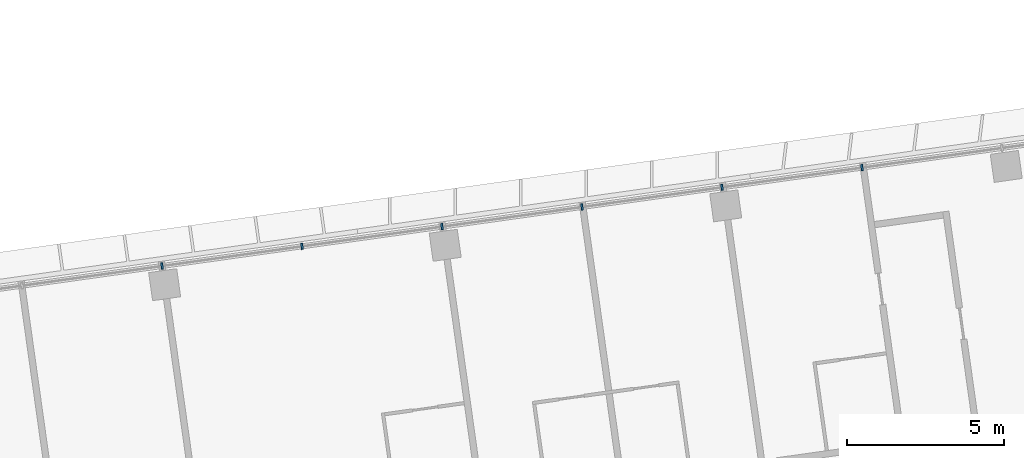
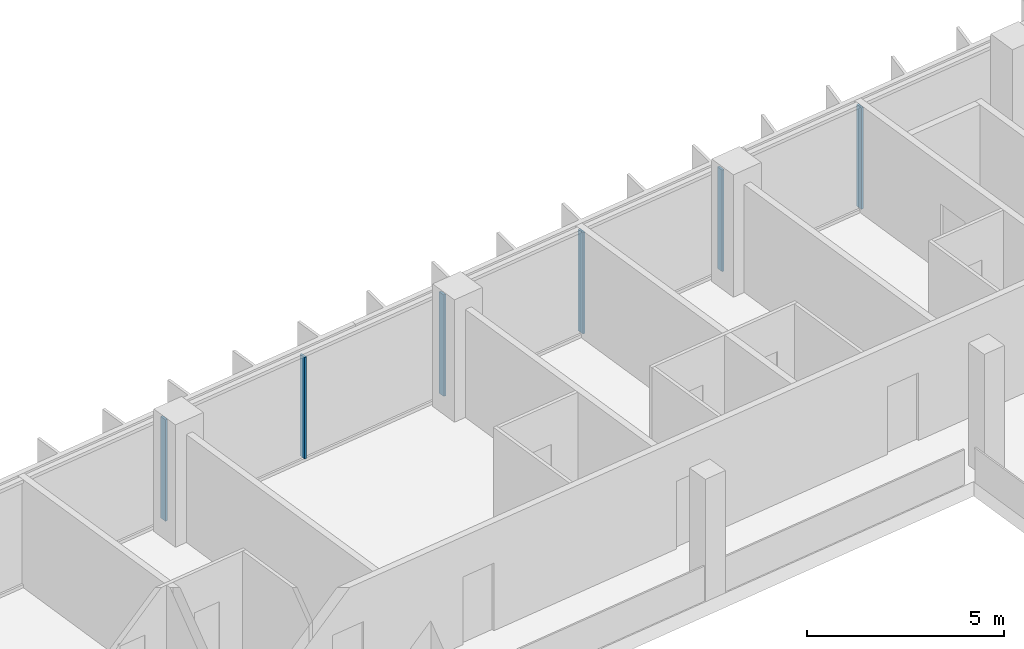
# One storey, part 10 of 25: 6 members, 1 element without a shape of its own.
"""IFC4 building model written with IfcOpenShell, lengths in metres."""

from ifc_helpers import new_model, si_unit, direction, frame, origin, origin_2d, place, context, subcontext, project, spatial, rectangle, extrude, material, material_profile, profile_set, type_object, element, aggregate, save


model = new_model("IFC4")

# Units and contexts
model_context = context("Model", 3, precision=1e-05, world=origin(), true_north=direction((0.0, 1.0)))
body_context = subcontext(model_context, "Body", "Model", "MODEL_VIEW")
ifc_project = project(units=[si_unit("LENGTHUNIT", "METRE"), si_unit("AREAUNIT", "SQUARE_METRE"), si_unit("VOLUMEUNIT", "CUBIC_METRE"), si_unit("PLANEANGLEUNIT", "RADIAN"), si_unit("MASSUNIT", "GRAM", prefix="KILO")], contexts=[model_context])

# Site, building, storey
site_placement = place(None, origin())
site = spatial("IfcSite", under=ifc_project, at=site_placement, CompositionType="ELEMENT")
building_placement = place(site_placement, origin())
building = spatial("IfcBuilding", under=site, at=building_placement, Name="Mirante Cascada Hotel Towers", CompositionType="ELEMENT")
storey_placement = place(building_placement, frame((0.0, 0.0, 136.7)))
storey = spatial("IfcBuildingStorey", under=building, at=storey_placement, Name="L31", CompositionType="ELEMENT", Elevation=136.7)

# Curtain wall, members
ifc_material_1 = material(Name="Aluminium mullion and transom frame with clear laminated glass", Category="aluminium")
curtain_wall_type = type_object("IfcCurtainWallType", Name="Ribbon curtain wall ECW1", PredefinedType="NOTDEFINED", material=ifc_material_1)
curtain_wall_placement = place(storey_placement, origin())
curtain_wall = element("IfcCurtainWall", 1, at=curtain_wall_placement, inside=storey, type_object=curtain_wall_type, Name="Front ribbon wall T2 L31", PredefinedType="NOTDEFINED")
ifc_material_2 = material(Name="Anodised aluminium extrusion", Category="aluminium")
ifc_material_profile = material_profile(ifc_material_2, rectangle(XDim=0.2, YDim=0.065, at=origin_2d()), Name="ECW1 MULLION 65x200")
ifc_profile_set = profile_set([ifc_material_profile], Name="Anodised aluminium extrusion")
member_type = type_object("IfcMemberType", Name="ECW1 mullion 65x200", PredefinedType="MULLION", material=ifc_profile_set)
member_1_placement = place(storey_placement, frame((85.2633, 24.802, 0.1), z_axis=(0.0, 0.0, 1.0), x_axis=(0.1391731, -0.9902681, 0.0)))
member_1 = element("IfcMember", 2, at=member_1_placement, type_object=member_type, Name="ECW1 mullion 3", PredefinedType="MULLION", context=body_context, shape_type="SweptSolid", body=[
    extrude(rectangle(XDim=0.2, YDim=0.065, at=origin_2d()), origin(), (0.0, 0.0, 1.0), 3.15),
])
member_2_placement = place(storey_placement, frame((80.8159, 24.177, 0.1), z_axis=(0.0, 0.0, 1.0), x_axis=(0.1391731, -0.9902681, 0.0)))
member_2 = element("IfcMember", 3, at=member_2_placement, type_object=member_type, Name="ECW1 mullion 4", PredefinedType="MULLION", context=body_context, shape_type="SweptSolid", body=[
    extrude(rectangle(XDim=0.2, YDim=0.065, at=origin_2d()), origin(), (0.0, 0.0, 1.0), 3.15),
])
member_3_placement = place(storey_placement, frame((76.3685, 23.5519, 0.1), z_axis=(0.0, 0.0, 1.0), x_axis=(0.1391731, -0.9902681, 0.0)))
member_3 = element("IfcMember", 4, at=member_3_placement, type_object=member_type, Name="ECW1 mullion 5", PredefinedType="MULLION", context=body_context, shape_type="SweptSolid", body=[
    extrude(rectangle(XDim=0.2, YDim=0.065, at=origin_2d()), origin(), (0.0, 0.0, 1.0), 3.15),
])
member_4_placement = place(storey_placement, frame((71.9211, 22.9269, 0.1), z_axis=(0.0, 0.0, 1.0), x_axis=(0.1391731, -0.9902681, 0.0)))
member_4 = element("IfcMember", 5, at=member_4_placement, type_object=member_type, Name="ECW1 mullion 6", PredefinedType="MULLION", context=body_context, shape_type="SweptSolid", body=[
    extrude(rectangle(XDim=0.2, YDim=0.065, at=origin_2d()), origin(), (0.0, 0.0, 1.0), 3.15),
])
member_5_placement = place(storey_placement, frame((67.4737, 22.3018, 0.1), z_axis=(0.0, 0.0, 1.0), x_axis=(0.1391731, -0.9902681, 0.0)))
member_5 = element("IfcMember", 6, at=member_5_placement, type_object=member_type, Name="ECW1 mullion 7", PredefinedType="MULLION", context=body_context, shape_type="SweptSolid", body=[
    extrude(rectangle(XDim=0.2, YDim=0.065, at=origin_2d()), origin(), (0.0, 0.0, 1.0), 3.15),
])
member_6_placement = place(storey_placement, frame((63.0262, 21.6768, 0.1), z_axis=(0.0, 0.0, 1.0), x_axis=(0.1391731, -0.9902681, 0.0)))
member_6 = element("IfcMember", 7, at=member_6_placement, type_object=member_type, Name="ECW1 mullion 8", PredefinedType="MULLION", context=body_context, shape_type="SweptSolid", body=[
    extrude(rectangle(XDim=0.2, YDim=0.065, at=origin_2d()), origin(), (0.0, 0.0, 1.0), 3.15),
])
aggregate(curtain_wall, [member_1, member_2, member_3, member_4, member_5, member_6])

save(model, "model.ifc")
